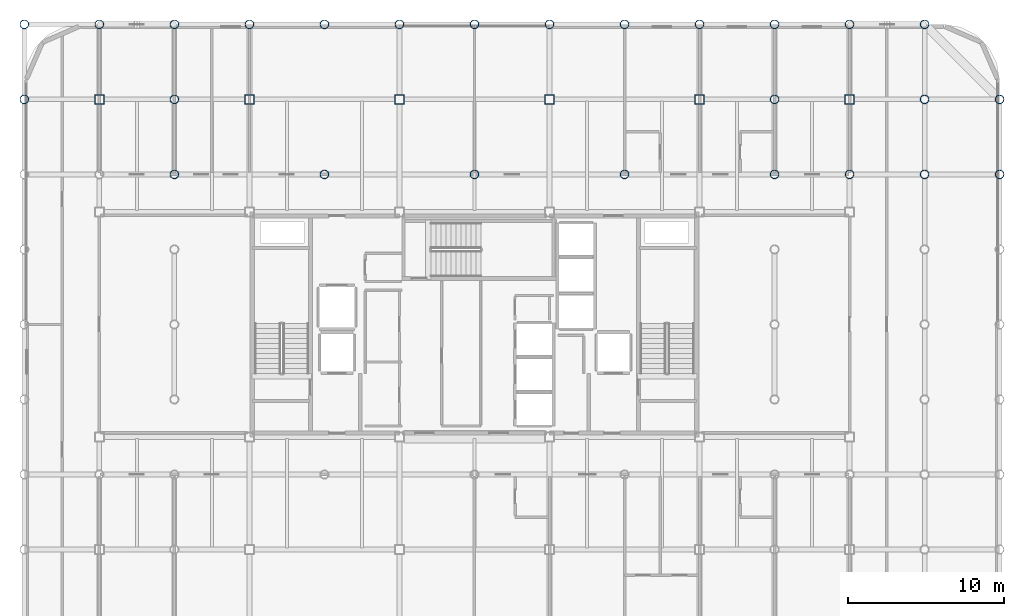
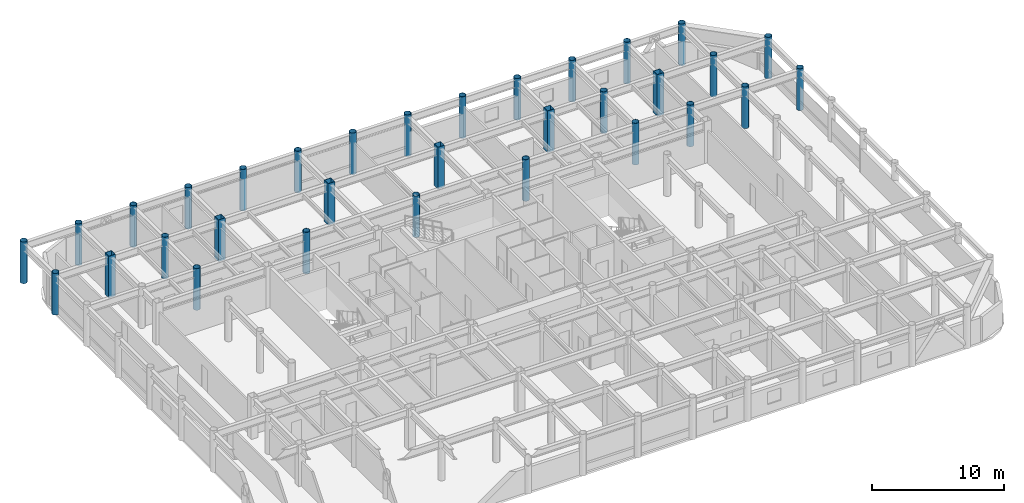
# One storey, part 2 of 22: 32 columns.
"""IFC4 building model written with IfcOpenShell, lengths in metres."""

import ifcopenshell
import ifcopenshell.guid

model = None  # the IFC model being written
_history = None  # IfcOwnerHistory: only IFC2X3 demands one
_inside = {}  # id of a spatial element -> (the spatial element, [elements in it])
_under = {}  # id of a project, library or spatial element -> (it, [spatial elements below it])
_declared = {}  # id of a project -> (the project, [libraries it declares])
_typed = {}  # id of a type object -> (the type object, [elements of that type])
_made_of = {}  # id of a material, layer set ... -> (it, [elements and type objects made of it])


def new_model(schema):
    """Start an empty IFC model of exactly this schema.

    Asked for "IFC4X3", IfcOpenShell would pick the latest addendum, in which some entities
    have other attributes; the version numbers below select the first issue.
    IFC2X3 requires an IfcOwnerHistory on every rooted entity: one is made here for all.
    """
    global model, _history
    if schema == "IFC4X3":
        model = ifcopenshell.file(schema_version=(4, 3, 0, 0))
    else:
        model = ifcopenshell.file(schema=schema)
    _inside.clear()
    _under.clear()
    _declared.clear()
    _typed.clear()
    _made_of.clear()
    _history = None
    if model.schema == "IFC2X3":
        org = make("IfcOrganization", Name="unknown")
        user = make(
            "IfcPersonAndOrganization",
            ThePerson=make("IfcPerson", FamilyName="unknown"),
            TheOrganization=org,
        )
        app = make(
            "IfcApplication",
            ApplicationDeveloper=org,
            Version="unknown",
            ApplicationFullName="unknown",
            ApplicationIdentifier="unknown",
        )
        _history = make(
            "IfcOwnerHistory",
            OwningUser=user,
            OwningApplication=app,
            ChangeAction="ADDED",
            CreationDate=0,
        )
    return model


def make(cls, **values):
    """One entity of the class cls with the attributes given. An attribute that is None is left unset."""
    return model.create_entity(
        cls, **{name: value for name, value in values.items() if value is not None}
    )


def rooted(cls, **values):
    """An entity with a GlobalId (a new one), such as an element, a storey or a relation."""
    return make(cls, GlobalId=ifcopenshell.guid.new(), OwnerHistory=_history, **values)


def si_unit(unit_type, name, prefix=None):
    """IfcSIUnit, for example si_unit("LENGTHUNIT", "METRE", prefix="MILLI")."""
    return make("IfcSIUnit", UnitType=unit_type, Prefix=prefix, Name=name)


def assignment(units):
    """IfcUnitAssignment: the units of a project."""
    return None if units is None else make("IfcUnitAssignment", Units=units)


def point(xyz):
    """IfcCartesianPoint."""
    return None if xyz is None else make("IfcCartesianPoint", Coordinates=xyz)


def direction(xyz):
    """IfcDirection."""
    return None if xyz is None else make("IfcDirection", DirectionRatios=xyz)


def frame(location, z_axis=None, x_axis=None):
    """IfcAxis2Placement3D, a coordinate frame: its origin and axes. An axis left out is left unset."""
    return make(
        "IfcAxis2Placement3D",
        Location=point(location),
        Axis=direction(z_axis),
        RefDirection=direction(x_axis),
    )


def frame_2d(location, x_axis=None):
    """IfcAxis2Placement2D, a coordinate frame in the plane: its origin and x axis."""
    return make(
        "IfcAxis2Placement2D", Location=point(location), RefDirection=direction(x_axis)
    )


def origin():
    """The frame at (0, 0, 0) with its axes left unset."""
    return frame((0.0, 0.0, 0.0))


def origin_2d():
    """The frame at (0, 0) in the plane with its x axis left unset."""
    return frame_2d((0.0, 0.0))


def place(relative_to, where):
    """IfcLocalPlacement: puts the frame where relative to a parent placement (None: the world)."""
    return make(
        "IfcLocalPlacement", PlacementRelTo=relative_to, RelativePlacement=where
    )


def context(
    kind, dimensions, precision=None, world=None, true_north=None, identifier=None
):
    """IfcGeometricRepresentationContext, for example the 3D "Model" context."""
    return make(
        "IfcGeometricRepresentationContext",
        ContextIdentifier=identifier,
        ContextType=kind,
        CoordinateSpaceDimension=dimensions,
        Precision=precision,
        WorldCoordinateSystem=world,
        TrueNorth=true_north,
    )


def subcontext(parent, identifier, kind, view, scale=None):
    """IfcGeometricRepresentationSubContext, for example "Body" below "Model"."""
    return make(
        "IfcGeometricRepresentationSubContext",
        ContextIdentifier=identifier,
        ContextType=kind,
        ParentContext=parent,
        TargetScale=scale,
        TargetView=view,
    )


def project(units=None, contexts=None):
    """IfcProject with its units and contexts."""
    return rooted(
        "IfcProject",
        Name="project",
        RepresentationContexts=contexts,
        UnitsInContext=assignment(units),
    )


def spatial(cls, under=None, at=None, **own):
    """A site, building, storey or space (cls), placed at a placement, below another one or the project."""
    s = rooted(cls, ObjectPlacement=at, **own)
    if under is not None:
        _under.setdefault(under.id(), (under, []))[1].append(s)
    return s


def profile(cls, at=None, kind="AREA", **sizes):
    """A parametric profile (cls). Its sizes go by their IFC names, for example OverallWidth=200.0."""
    return make(cls, ProfileType=kind, Position=at, **sizes)


def hollow_rectangle(**sizes):
    """IfcRectangleHollowProfileDef."""
    return profile("IfcRectangleHollowProfileDef", **sizes)


def hollow_circle(**sizes):
    """IfcCircleHollowProfileDef."""
    return profile("IfcCircleHollowProfileDef", **sizes)


def extrude(swept, where, along, depth):
    """IfcExtrudedAreaSolid: the profile swept, set in the frame where, extruded along a direction by depth."""
    return make(
        "IfcExtrudedAreaSolid",
        SweptArea=swept,
        Position=where,
        ExtrudedDirection=direction(along),
        Depth=depth,
    )


def shape(context_of_items, identifier, shape_type, items):
    """IfcShapeRepresentation: the items that make up one representation, for example the "Body"."""
    return make(
        "IfcShapeRepresentation",
        ContextOfItems=context_of_items,
        RepresentationIdentifier=identifier,
        RepresentationType=shape_type,
        Items=items,
    )


def material(Name=None, Category=None):
    """IfcMaterial."""
    return make("IfcMaterial", Name=Name, Category=Category)


def material_profile(
    of_material, cross_section, Name=None, Category=None, Priority=None
):
    """IfcMaterialProfile: a cross section and its material."""
    return make(
        "IfcMaterialProfile",
        Name=Name,
        Material=of_material,
        Profile=cross_section,
        Priority=Priority,
        Category=Category,
    )


def profile_set(profiles, Name=None, composite=None):
    """IfcMaterialProfileSet."""
    return make(
        "IfcMaterialProfileSet",
        Name=Name,
        MaterialProfiles=profiles,
        CompositeProfile=composite,
    )


def made_of(thing, what):
    """Note that an element or type object is made of a material, layer set ...; save() writes the relation."""
    if what is not None:
        _made_of.setdefault(what.id(), (what, []))[1].append(thing)
    return thing


def type_object(cls, material=None, **own):
    """A type object (cls), such as IfcWallType, which elements share."""
    return made_of(rooted(cls, **own), material)


def element(
    cls,
    number,
    at=None,
    inside=None,
    cuts=None,
    type_object=None,
    material=None,
    context=None,
    identifier="Body",
    shape_type=None,
    held_by="IfcProductDefinitionShape",
    body=None,
    shapes=None,
    **own,
):
    """One element of the class cls, such as IfcWall. Its Tag is "e" and its number.

    at: its placement. inside: the storey or other place that contains it. cuts: it is an
    opening in that element (IfcRelVoidsElement). A single representation is given by context,
    identifier, shape_type and body (its items); several are given by shapes. held_by: the class
    of the entity that holds the representations. save() writes the other relations.
    """
    e = rooted(cls, Tag="e%d" % number, ObjectPlacement=at, **own)
    if body is not None:
        shapes = [shape(context, identifier, shape_type, body)]
    if shapes is not None:
        e.Representation = make(held_by, Representations=shapes)
    if inside is not None:
        _inside.setdefault(inside.id(), (inside, []))[1].append(e)
    if cuts is not None:
        rooted(
            "IfcRelVoidsElement", RelatingBuildingElement=cuts, RelatedOpeningElement=e
        )
    if type_object is not None:
        _typed.setdefault(type_object.id(), (type_object, []))[1].append(e)
    return made_of(e, material)


def aggregate(whole, parts):
    """IfcRelAggregates: a whole, such as a stair, and the parts it consists of."""
    return rooted("IfcRelAggregates", RelatingObject=whole, RelatedObjects=parts)


def save(model, path):
    """Write the relations noted so far, then the file.

    IfcRelAggregates (storeys below a building ...), IfcRelContainedInSpatialStructure (elements
    in a storey), IfcRelDefinesByType, IfcRelAssociatesMaterial and IfcRelDeclares: one each for
    every whole, place, type object, material and project.
    """
    for whole, parts in _under.values():
        aggregate(whole, parts)
    for where, things in _inside.values():
        rooted(
            "IfcRelContainedInSpatialStructure",
            RelatedElements=things,
            RelatingStructure=where,
        )
    for kind, things in _typed.values():
        rooted("IfcRelDefinesByType", RelatedObjects=things, RelatingType=kind)
    for what, things in _made_of.values():
        rooted("IfcRelAssociatesMaterial", RelatedObjects=things, RelatingMaterial=what)
    for by, libraries in _declared.values():
        rooted("IfcRelDeclares", RelatingContext=by, RelatedDefinitions=libraries)
    model.write(path)


model = new_model("IFC4")

# Units and contexts
model_context = context("Model", 3, precision=1e-05, world=origin(), true_north=direction((0.0, 1.0)))
body_context = subcontext(model_context, "Body", "Model", "MODEL_VIEW")
ifc_project = project(units=[si_unit("LENGTHUNIT", "METRE"), si_unit("AREAUNIT", "SQUARE_METRE"), si_unit("VOLUMEUNIT", "CUBIC_METRE"), si_unit("PLANEANGLEUNIT", "RADIAN"), si_unit("MASSUNIT", "GRAM", prefix="KILO")], contexts=[model_context])

# Site, building, storey
site_placement = place(None, origin())
site = spatial("IfcSite", under=ifc_project, at=site_placement, CompositionType="ELEMENT")
building_placement = place(site_placement, origin())
building = spatial("IfcBuilding", under=site, at=building_placement, Name="Kallvorn Hotel Tower", CompositionType="ELEMENT")
storey_placement = place(building_placement, frame((0.0, 0.0, 203.050048828125)))
storey = spatial("IfcBuildingStorey", under=building, at=storey_placement, Name="L50", CompositionType="ELEMENT", Elevation=203.050048828125)

# Columns
ifc_material_1 = material(Name="Structural steel S355J2H", Category="steel")
ifc_material_profile_1 = material_profile(ifc_material_1, hollow_circle(Radius=0.279541015625, WallThickness=0.02490234375, at=origin_2d()), Name="CHS 559x25")
ifc_profile_set_1 = profile_set([ifc_material_profile_1], Name="Structural steel S355J2H")
column_type_1 = type_object("IfcColumnType", Name="COL_CHS_559", PredefinedType="COLUMN", material=ifc_profile_set_1)
for number, where, z_axis, x_axis, name in (
    (1, (-28.800048828125, 14.39990234375, 0.0), (0.0, 0.0, 1.0), (1.0, 0.0, 0.0), "L50 Exoskeleton Column EC08"),
    (2, (-28.800048828125, 19.199951171875, 0.0), (0.0, 0.0, 1.0), (1.0, 0.0, 0.0), "L50 Exoskeleton Column EC09"),
    (3, (-24.0, 19.199951171875, 0.0), (0.0, 0.0, 1.0), (1.0, 0.0, 0.0), "L50 Exoskeleton Column EC14"),
    (4, (-19.199951171875, 9.60009765625, 0.0), (0.0, 0.0, 1.0), (1.0, 0.0, 0.0), "L50 Exoskeleton Column EC22"),
    (5, (-19.199951171875, 14.39990234375, 0.0), (0.0, 0.0, 1.0), (1.0, 0.0, 0.0), "L50 Exoskeleton Column EC23"),
    (6, (-19.199951171875, 19.199951171875, 0.0), (0.0, 0.0, 1.0), (1.0, 0.0, 0.0), "L50 Exoskeleton Column EC24"),
    (7, (-14.39990234375, 19.199951171875, 0.0), (0.0, 0.0, 1.0), (1.0, 0.0, 0.0), "L50 Exoskeleton Column EC27"),
    (8, (-9.60009765625, 9.60009765625, 0.0), (0.0, 0.0, 1.0), (1.0, 0.0, 0.0), "L50 Exoskeleton Column EC31"),
    (9, (-9.60009765625, 19.199951171875, 0.0), (0.0, 0.0, 1.0), (1.0, 0.0, 0.0), "L50 Exoskeleton Column EC32"),
    (10, (-4.800048828125, 19.199951171875, 0.0), (0.0, 0.0, 1.0), (1.0, 0.0, 0.0), "L50 Exoskeleton Column EC35"),
    (11, (0.0, 9.60009765625, 0.0), (0.0, 0.0, 1.0), (1.0, 0.0, 0.0), "L50 Exoskeleton Column EC39"),
    (12, (0.0, 19.199951171875, 0.0), (0.0, 0.0, 1.0), (1.0, 0.0, 0.0), "L50 Exoskeleton Column EC40"),
    (13, (4.800048828125, 19.199951171875, 0.0), (0.0, 0.0, 1.0), (1.0, 0.0, 0.0), "L50 Exoskeleton Column EC43"),
    (14, (9.60009765625, 9.60009765625, 0.0), (0.0, 0.0, 1.0), (1.0, 0.0, 0.0), "L50 Exoskeleton Column EC47"),
    (15, (9.60009765625, 19.199951171875, 0.0), (0.0, 0.0, 1.0), (1.0, 0.0, 0.0), "L50 Exoskeleton Column EC48"),
    (16, (14.39990234375, 19.199951171875, 0.0), (0.0, 0.0, 1.0), (1.0, 0.0, 0.0), "L50 Exoskeleton Column EC51"),
    (17, (19.199951171875, 9.60009765625, 0.0), (0.0, 0.0, 1.0), (1.0, 0.0, 0.0), "L50 Exoskeleton Column EC59"),
    (18, (19.199951171875, 14.39990234375, 0.0), (0.0, 0.0, 1.0), (1.0, 0.0, 0.0), "L50 Exoskeleton Column EC60"),
    (19, (19.199951171875, 19.199951171875, 0.0), (0.0, 0.0, 1.0), (1.0, 0.0, 0.0), "L50 Exoskeleton Column EC61"),
    (20, (24.0, 9.60009765625, 0.0), (0.0, 0.0, 1.0), (1.0, 0.0, 0.0), "L50 Exoskeleton Column EC65"),
    (21, (24.0, 19.199951171875, 0.0), (0.0, 0.0, 1.0), (1.0, 0.0, 0.0), "L50 Exoskeleton Column EC66"),
    (22, (28.800048828125, 9.60009765625, 0.0), (0.0, 0.0, 1.0), (1.0, 0.0, 0.0), "L50 Exoskeleton Column EC74"),
    (23, (28.800048828125, 14.39990234375, 0.0), (0.0, 0.0, 1.0), (1.0, 0.0, 0.0), "L50 Exoskeleton Column EC75"),
    (24, (28.800048828125, 19.199951171875, 0.0), (0.0, 0.0, 1.0), (1.0, 0.0, 0.0), "L50 Exoskeleton Column EC76"),
    (25, (33.60009765625, 9.60009765625, 0.0), (0.0, 0.0, 1.0), (1.0, 0.0, 0.0), "L50 Exoskeleton Column EC83"),
    (26, (33.60009765625, 14.39990234375, 0.0), (0.0, 0.0, 1.0), (1.0, 0.0, 0.0), "L50 Exoskeleton Column EC84"),
):
    element("IfcColumn", number, at=place(storey_placement, frame(where, z_axis=z_axis, x_axis=x_axis)), inside=storey, type_object=column_type_1, Name=name, PredefinedType="COLUMN", context=body_context, shape_type="SweptSolid", body=[
        extrude(hollow_circle(Radius=0.279541015625, WallThickness=0.02490234375, at=origin_2d()), origin(), (0.0, 0.0, 1.0), 3.849853515625),
    ])
ifc_material_2 = material(Name="Structural steel S355J2H", Category="steel")
ifc_material_profile_2 = material_profile(ifc_material_2, hollow_rectangle(XDim=0.60009765625, YDim=0.60009765625, WallThickness=0.028076171875, at=origin_2d()), Name="RHS 600x600x28")
ifc_profile_set_2 = profile_set([ifc_material_profile_2], Name="Structural steel S355J2H")
column_type_2 = type_object("IfcColumnType", Name="COL_RHS_600", PredefinedType="COLUMN", material=ifc_profile_set_2)
for number, where, z_axis, x_axis, name in (
    (27, (-24.0, 14.39990234375, 0.0), (0.0, 0.0, 1.0), (1.0, 0.0, 0.0), "L50 Inner Column IC04"),
    (28, (-14.39990234375, 14.39990234375, 0.0), (0.0, 0.0, 1.0), (1.0, 0.0, 0.0), "L50 Inner Column IC08"),
    (29, (-4.800048828125, 14.39990234375, 0.0), (0.0, 0.0, 1.0), (1.0, 0.0, 0.0), "L50 Inner Column IC12"),
    (30, (4.800048828125, 14.39990234375, 0.0), (0.0, 0.0, 1.0), (1.0, 0.0, 0.0), "L50 Inner Column IC16"),
    (31, (14.39990234375, 14.39990234375, 0.0), (0.0, 0.0, 1.0), (1.0, 0.0, 0.0), "L50 Inner Column IC20"),
    (32, (24.0, 14.39990234375, 0.0), (0.0, 0.0, 1.0), (1.0, 0.0, 0.0), "L50 Inner Column IC24"),
):
    element("IfcColumn", number, at=place(storey_placement, frame(where, z_axis=z_axis, x_axis=x_axis)), inside=storey, type_object=column_type_2, Name=name, PredefinedType="COLUMN", context=body_context, shape_type="SweptSolid", body=[
        extrude(hollow_rectangle(XDim=0.60009765625, YDim=0.60009765625, WallThickness=0.028076171875, at=origin_2d()), origin(), (0.0, 0.0, 1.0), 3.849853515625),
    ])

save(model, "model.ifc")
